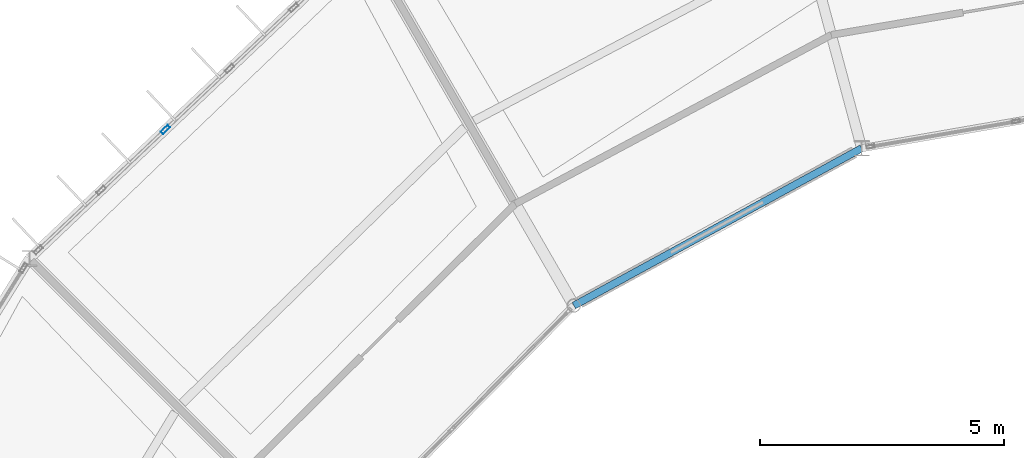
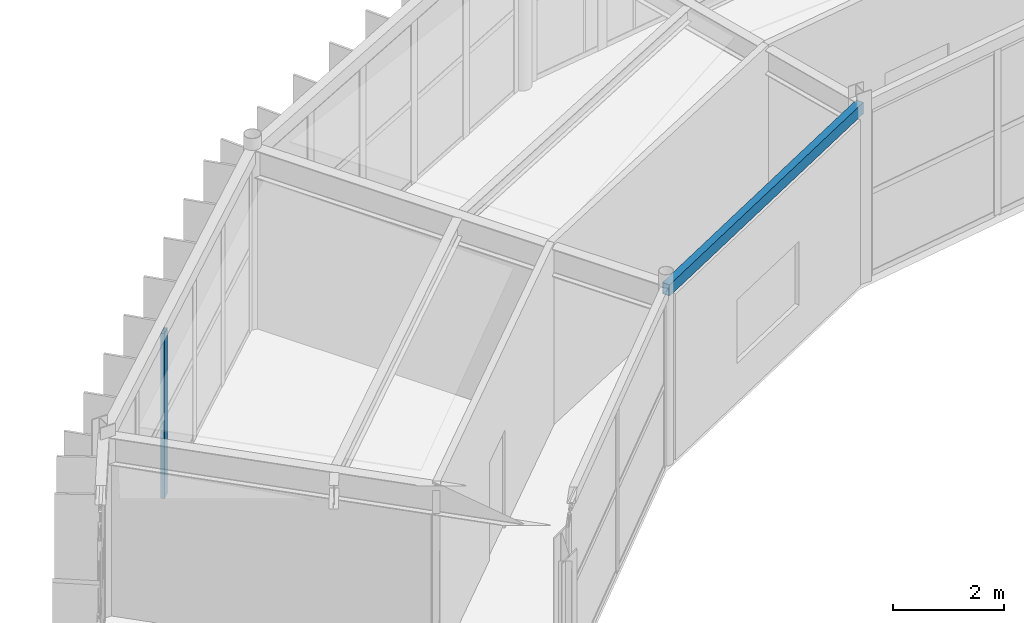
# One storey, part 76 of 147: 1 beam, 1 member, 1 element without a shape of its own.
"""IFC4 building model written with IfcOpenShell, lengths in metres."""

from ifc_helpers import new_model, si_unit, direction, frame, origin, origin_2d, place, context, subcontext, project, spatial, hollow_rectangle, extrude, material, material_profile, profile_set, type_object, element, aggregate, save


model = new_model("IFC4")

# Units and contexts
model_context = context("Model", 3, precision=1e-05, world=origin(), true_north=direction((0.0, 1.0)))
body_context = subcontext(model_context, "Body", "Model", "MODEL_VIEW")
ifc_project = project(units=[si_unit("LENGTHUNIT", "METRE"), si_unit("AREAUNIT", "SQUARE_METRE"), si_unit("VOLUMEUNIT", "CUBIC_METRE"), si_unit("PLANEANGLEUNIT", "RADIAN"), si_unit("MASSUNIT", "GRAM", prefix="KILO")], contexts=[model_context])

# Site, building, storey
site_placement = place(None, origin())
site = spatial("IfcSite", under=ifc_project, at=site_placement, CompositionType="ELEMENT")
building_placement = place(site_placement, origin())
building = spatial("IfcBuilding", under=site, at=building_placement, Name="Karori Crest Natural Sciences Institute", CompositionType="ELEMENT")
storey_placement = place(building_placement, frame((0.0, 0.0, 9.10009765625)))
storey = spatial("IfcBuildingStorey", under=building, at=storey_placement, Name="L02", CompositionType="ELEMENT", Elevation=9.10009765625)

# Beam
ifc_material_1 = material(Name="Hollow structural steel AS/NZS 1163 Grade C350", Category="steel")
ifc_material_profile_1 = material_profile(ifc_material_1, hollow_rectangle(XDim=0.14990234375, YDim=0.25, WallThickness=0.009033203125, at=origin_2d()), Name="RHS250x150x9")
ifc_profile_set_1 = profile_set([ifc_material_profile_1], Name="Hollow structural steel AS/NZS 1163 Grade C350")
beam_type = type_object("IfcBeamType", Name="BT-16", PredefinedType="SPANDREL", material=ifc_profile_set_1)
beam_placement = place(storey_placement, frame((60.084716796875, 81.002685546875, 3.789794921875), z_axis=(-0.877461157042, -0.479647701842, 0.0), x_axis=(0.479647701842, -0.877461157042, 0.0)))
element("IfcBeam", 1, at=beam_placement, inside=storey, type_object=beam_type, Name="Beam B-0298", PredefinedType="SPANDREL", context=body_context, shape_type="SweptSolid", body=[
    extrude(hollow_rectangle(XDim=0.14990234375, YDim=0.25, WallThickness=0.009033203125, at=origin_2d()), origin(), (0.0, 0.0, 1.0), 6.70654296875),
])

# Curtain wall, member
ifc_material_2 = material(Name="Anodised architectural aluminium 6063-T6", Category="aluminium")
curtain_wall_type = type_object("IfcCurtainWallType", Name="CWT-09", PredefinedType="NOTDEFINED", material=ifc_material_2)
curtain_wall_placement = place(storey_placement, origin())
curtain_wall = element("IfcCurtainWall", 2, at=curtain_wall_placement, inside=storey, type_object=curtain_wall_type, Name="Curtain wall CW-0077", PredefinedType="NOTDEFINED")
ifc_material_profile_2 = material_profile(ifc_material_2, hollow_rectangle(XDim=0.074951171875, YDim=0.199951171875, WallThickness=0.0048828125, at=origin_2d()), Name="CWM200x75x5")
ifc_profile_set_2 = profile_set([ifc_material_profile_2], Name="Anodised architectural aluminium 6063-T6")
member_type = type_object("IfcMemberType", Name="CWM-02", PredefinedType="MULLION", material=ifc_profile_set_2)
member_placement = place(storey_placement, frame((45.84521484375, 81.38720703125, 0.0), z_axis=(0.0, 0.0, 1.0), x_axis=(-0.688250886925, 0.725472753897, 0.0)))
member = element("IfcMember", 3, at=member_placement, type_object=member_type, Name="CW-0077 mullion 3", PredefinedType="MULLION", context=body_context, shape_type="SweptSolid", body=[
    extrude(hollow_rectangle(XDim=0.074951171875, YDim=0.199951171875, WallThickness=0.0048828125, at=origin_2d()), origin(), (0.0, 0.0, 1.0), 3.625),
])
aggregate(curtain_wall, [member])

save(model, "model.ifc")
